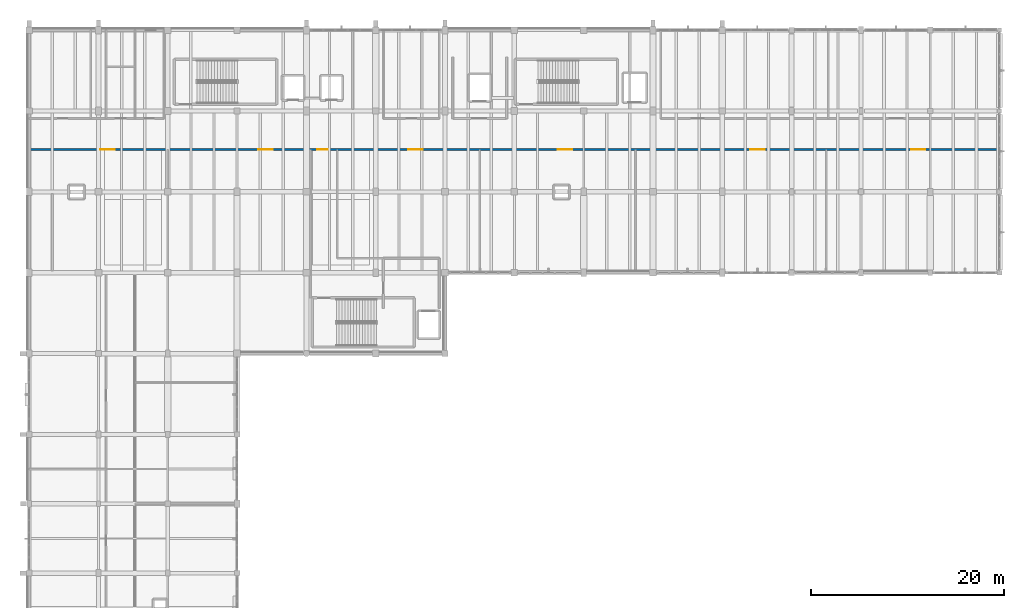
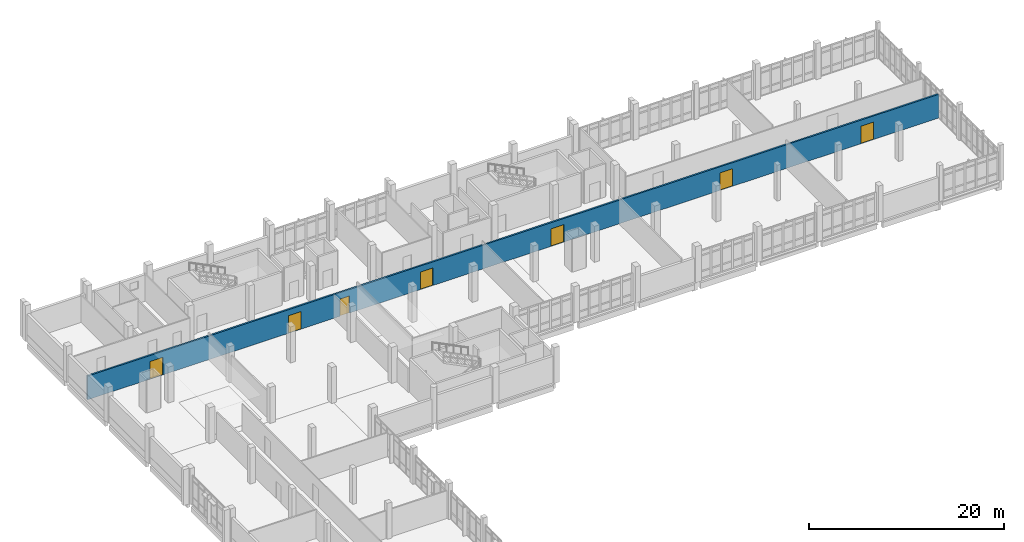
# One storey, part 50 of 57: 7 doors, 1 wall, 7 openings.
"""IFC4 building model written with IfcOpenShell, lengths in metres."""

from ifc_helpers import new_model, si_unit, direction, frame, frame_2d, origin, place, context, subcontext, project, spatial, rectangle, extrude, material, layer, layer_set, type_object, element, fill, save


model = new_model("IFC4")

# Units and contexts
model_context = context("Model", 3, precision=1e-05, world=origin(), true_north=direction((0.0, 1.0)))
body_context = subcontext(model_context, "Body", "Model", "MODEL_VIEW")
ifc_project = project(units=[si_unit("LENGTHUNIT", "METRE"), si_unit("AREAUNIT", "SQUARE_METRE"), si_unit("VOLUMEUNIT", "CUBIC_METRE"), si_unit("PLANEANGLEUNIT", "RADIAN"), si_unit("MASSUNIT", "GRAM", prefix="KILO")], contexts=[model_context])

# Site, building, storey
site_placement = place(None, origin())
site = spatial("IfcSite", under=ifc_project, at=site_placement, CompositionType="ELEMENT")
building_placement = place(site_placement, origin())
building = spatial("IfcBuilding", under=site, at=building_placement, Name="Kalluvel Institute of Natural Sciences", CompositionType="ELEMENT")
storey_placement = place(building_placement, frame((0.0, 0.0, 23.39990234375)))
storey = spatial("IfcBuildingStorey", under=building, at=storey_placement, Name="L05", CompositionType="ELEMENT", Elevation=23.39990234375)

# Wall, openings, doors
ifc_material_1 = material(Name="Autoclaved Aerated Concrete Masonry Block", Category="masonry")
ifc_layer = layer(ifc_material_1, 0.199951171875)
ifc_layer_set = layer_set([ifc_layer], Name="Autoclaved Aerated Concrete Masonry Block")
wall_type = type_object("IfcWallType", Name="WL-FIRE-200", PredefinedType="SOLIDWALL", material=ifc_layer_set)
wall_placement = place(storey_placement, frame((14.0, 115.60009765625, 0.0), z_axis=(0.0, 0.0, 1.0), x_axis=(1.0, 0.0, 0.0)))
wall = element("IfcWall", 1, at=wall_placement, inside=storey, type_object=wall_type, Name="L05 interior fire wall WL-INT-L05-0261", PredefinedType="SOLIDWALL", context=body_context, shape_type="SweptSolid", body=[
    extrude(rectangle(XDim=100.800048828125, YDim=0.199951171875, at=frame_2d((50.39990234375, 0.0))), origin(), (0.0, 0.0, 1.0), 2.960205078125),
])
opening_1_placement = place(wall_placement, frame((29.89990234375, 0.0, 0.0)))
opening_1 = element("IfcOpeningElement", 2, at=opening_1_placement, cuts=wall, Name="Opening D-200", PredefinedType="OPENING", context=body_context, shape_type="SweptSolid", body=[
    extrude(rectangle(XDim=1.10009765625, YDim=2.14990234375, at=frame_2d((0.550048828125, 1.074951171875))), frame((0.0, 0.10986328125, 0.0), z_axis=(0.0, -1.0, 0.0), x_axis=(1.0, 0.0, 0.0)), (0.0, 0.0, 1.0), 0.219970703125),
])
opening_2_placement = place(wall_placement, frame((7.39990234375, 0.0, 0.0)))
opening_2 = element("IfcOpeningElement", 3, at=opening_2_placement, cuts=wall, Name="Opening D-201", PredefinedType="OPENING", context=body_context, shape_type="SweptSolid", body=[
    extrude(rectangle(XDim=1.5, YDim=2.199951171875, at=frame_2d((0.75, 1.10009765625))), frame((0.0, 0.10986328125, 0.0), z_axis=(0.0, -1.0, 0.0), x_axis=(1.0, 0.0, 0.0)), (0.0, 0.0, 1.0), 0.219970703125),
])
opening_3_placement = place(wall_placement, frame((23.800048828125, 0.0, 0.0)))
opening_3 = element("IfcOpeningElement", 4, at=opening_3_placement, cuts=wall, Name="Opening D-202", PredefinedType="OPENING", context=body_context, shape_type="SweptSolid", body=[
    extrude(rectangle(XDim=1.5, YDim=2.199951171875, at=frame_2d((0.75, 1.10009765625))), frame((0.0, 0.10986328125, 0.0), z_axis=(0.0, -1.0, 0.0), x_axis=(1.0, 0.0, 0.0)), (0.0, 0.0, 1.0), 0.219970703125),
])
opening_4_placement = place(wall_placement, frame((39.39990234375, 0.0, 0.0)))
opening_4 = element("IfcOpeningElement", 5, at=opening_4_placement, cuts=wall, Name="Opening D-203", PredefinedType="OPENING", context=body_context, shape_type="SweptSolid", body=[
    extrude(rectangle(XDim=1.5, YDim=2.199951171875, at=frame_2d((0.75, 1.10009765625))), frame((0.0, 0.10986328125, 0.0), z_axis=(0.0, -1.0, 0.0), x_axis=(1.0, 0.0, 0.0)), (0.0, 0.0, 1.0), 0.219970703125),
])
opening_5_placement = place(wall_placement, frame((54.89990234375, 0.0, 0.0)))
opening_5 = element("IfcOpeningElement", 6, at=opening_5_placement, cuts=wall, Name="Opening D-204", PredefinedType="OPENING", context=body_context, shape_type="SweptSolid", body=[
    extrude(rectangle(XDim=1.5, YDim=2.199951171875, at=frame_2d((0.75, 1.10009765625))), frame((0.0, 0.10986328125, 0.0), z_axis=(0.0, -1.0, 0.0), x_axis=(1.0, 0.0, 0.0)), (0.0, 0.0, 1.0), 0.219970703125),
])
opening_6_placement = place(wall_placement, frame((74.89990234375, 0.0, 0.0)))
opening_6 = element("IfcOpeningElement", 7, at=opening_6_placement, cuts=wall, Name="Opening D-205", PredefinedType="OPENING", context=body_context, shape_type="SweptSolid", body=[
    extrude(rectangle(XDim=1.5, YDim=2.199951171875, at=frame_2d((0.75, 1.10009765625))), frame((0.0, 0.10986328125, 0.0), z_axis=(0.0, -1.0, 0.0), x_axis=(1.0, 0.0, 0.0)), (0.0, 0.0, 1.0), 0.219970703125),
])
opening_7_placement = place(wall_placement, frame((91.60009765625, 0.0, 0.0)))
opening_7 = element("IfcOpeningElement", 8, at=opening_7_placement, cuts=wall, Name="Opening D-206", PredefinedType="OPENING", context=body_context, shape_type="SweptSolid", body=[
    extrude(rectangle(XDim=1.5, YDim=2.199951171875, at=frame_2d((0.75, 1.10009765625))), frame((0.0, 0.10986328125, 0.0), z_axis=(0.0, -1.0, 0.0), x_axis=(1.0, 0.0, 0.0)), (0.0, 0.0, 1.0), 0.219970703125),
])
ifc_material_2 = material(Name="Galvanized Fire-Rated Steel", Category="steel")
door_type_1 = type_object("IfcDoorType", Name="DR-FD60-1100", OperationType="NOTDEFINED", PredefinedType="DOOR", material=ifc_material_2)
door_1_placement = place(opening_1_placement, origin())
door_1 = element("IfcDoor", 9, at=door_1_placement, inside=storey, type_object=door_type_1, Name="L05 Knuckle to Spine door D-200", OperationType="SINGLE_SWING_RIGHT", OverallHeight=2.14990234375, OverallWidth=1.10009765625, PredefinedType="DOOR", context=body_context, shape_type="SweptSolid", body=[
    extrude(rectangle(XDim=1.10009765625, YDim=2.14990234375, at=frame_2d((0.550048828125, 1.074951171875))), frame((0.0, 0.02490234375, 0.0), z_axis=(0.0, -1.0, 0.0), x_axis=(1.0, 0.0, 0.0)), (0.0, 0.0, 1.0), 0.050048828125),
])
fill(opening_1, door_1)
door_type_2 = type_object("IfcDoorType", Name="DR-FD60-1500", OperationType="NOTDEFINED", PredefinedType="DOOR", material=ifc_material_2)
door_2_placement = place(opening_2_placement, origin())
door_2 = element("IfcDoor", 10, at=door_2_placement, inside=storey, type_object=door_type_2, Name="Neurobiology Electrophysiology Wet Laboratory door D-201", OperationType="DOUBLE_DOOR_SINGLE_SWING", OverallHeight=2.199951171875, OverallWidth=1.5, PredefinedType="DOOR", context=body_context, shape_type="SweptSolid", body=[
    extrude(rectangle(XDim=1.5, YDim=2.199951171875, at=frame_2d((0.75, 1.10009765625))), frame((0.0, 0.02490234375, 0.0), z_axis=(0.0, -1.0, 0.0), x_axis=(1.0, 0.0, 0.0)), (0.0, 0.0, 1.0), 0.050048828125),
])
fill(opening_2, door_2)
door_3_placement = place(opening_3_placement, origin())
door_3 = element("IfcDoor", 11, at=door_3_placement, inside=storey, type_object=door_type_2, Name="Developmental Genetics Wet Laboratory door D-202", OperationType="DOUBLE_DOOR_SINGLE_SWING", OverallHeight=2.199951171875, OverallWidth=1.5, PredefinedType="DOOR", context=body_context, shape_type="SweptSolid", body=[
    extrude(rectangle(XDim=1.5, YDim=2.199951171875, at=frame_2d((0.75, 1.10009765625))), frame((0.0, 0.02490234375, 0.0), z_axis=(0.0, -1.0, 0.0), x_axis=(1.0, 0.0, 0.0)), (0.0, 0.0, 1.0), 0.050048828125),
])
fill(opening_3, door_3)
door_4_placement = place(opening_4_placement, origin())
door_4 = element("IfcDoor", 12, at=door_4_placement, inside=storey, type_object=door_type_2, Name="Zebrafish and Model Organism Aquatics Suite door D-203", OperationType="DOUBLE_DOOR_SINGLE_SWING", OverallHeight=2.199951171875, OverallWidth=1.5, PredefinedType="DOOR", context=body_context, shape_type="SweptSolid", body=[
    extrude(rectangle(XDim=1.5, YDim=2.199951171875, at=frame_2d((0.75, 1.10009765625))), frame((0.0, 0.02490234375, 0.0), z_axis=(0.0, -1.0, 0.0), x_axis=(1.0, 0.0, 0.0)), (0.0, 0.0, 1.0), 0.050048828125),
])
fill(opening_4, door_4)
door_5_placement = place(opening_5_placement, origin())
door_5 = element("IfcDoor", 13, at=door_5_placement, inside=storey, type_object=door_type_2, Name="Immunology Flow Cytometry Wet Laboratory door D-204", OperationType="DOUBLE_DOOR_SINGLE_SWING", OverallHeight=2.199951171875, OverallWidth=1.5, PredefinedType="DOOR", context=body_context, shape_type="SweptSolid", body=[
    extrude(rectangle(XDim=1.5, YDim=2.199951171875, at=frame_2d((0.75, 1.10009765625))), frame((0.0, 0.02490234375, 0.0), z_axis=(0.0, -1.0, 0.0), x_axis=(1.0, 0.0, 0.0)), (0.0, 0.0, 1.0), 0.050048828125),
])
fill(opening_5, door_5)
door_6_placement = place(opening_6_placement, origin())
door_6 = element("IfcDoor", 14, at=door_6_placement, inside=storey, type_object=door_type_2, Name="Systems Biology Foundry Wet Laboratory door D-205", OperationType="DOUBLE_DOOR_SINGLE_SWING", OverallHeight=2.199951171875, OverallWidth=1.5, PredefinedType="DOOR", context=body_context, shape_type="SweptSolid", body=[
    extrude(rectangle(XDim=1.5, YDim=2.199951171875, at=frame_2d((0.75, 1.10009765625))), frame((0.0, 0.02490234375, 0.0), z_axis=(0.0, -1.0, 0.0), x_axis=(1.0, 0.0, 0.0)), (0.0, 0.0, 1.0), 0.050048828125),
])
fill(opening_6, door_6)
door_7_placement = place(opening_7_placement, origin())
door_7 = element("IfcDoor", 15, at=door_7_placement, inside=storey, type_object=door_type_2, Name="Bio-Safety Level 2 Containment Laboratory door D-206", OperationType="DOUBLE_DOOR_SINGLE_SWING", OverallHeight=2.199951171875, OverallWidth=1.5, PredefinedType="DOOR", context=body_context, shape_type="SweptSolid", body=[
    extrude(rectangle(XDim=1.5, YDim=2.199951171875, at=frame_2d((0.75, 1.10009765625))), frame((0.0, 0.02490234375, 0.0), z_axis=(0.0, -1.0, 0.0), x_axis=(1.0, 0.0, 0.0)), (0.0, 0.0, 1.0), 0.050048828125),
])
fill(opening_7, door_7)

save(model, "model.ifc")
